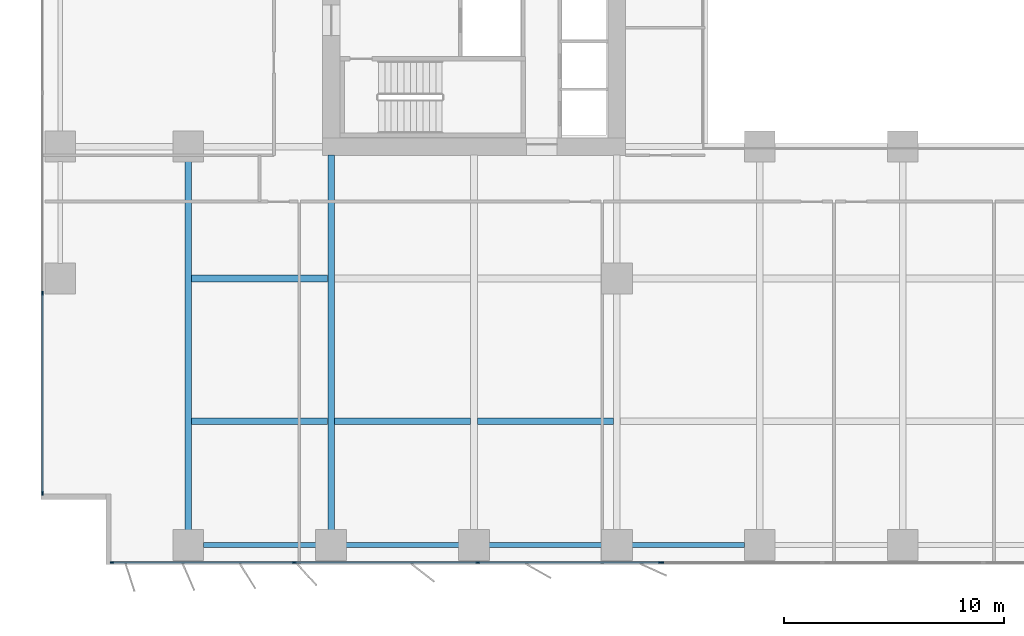
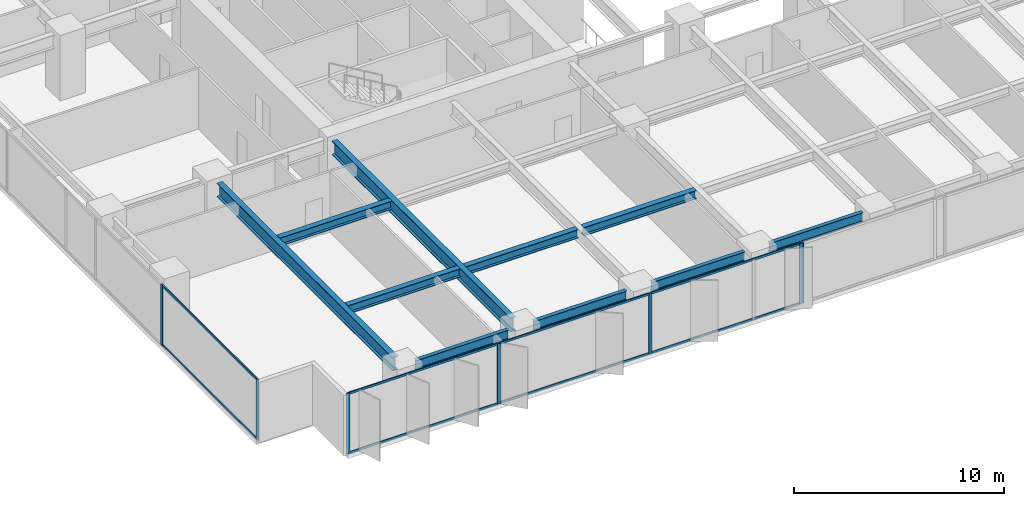
# One storey, part 2 of 20: 15 members, 10 beams, 3 elements without a shape of their own.
"""IFC4 building model written with IfcOpenShell, lengths in metres."""

import ifcopenshell
import ifcopenshell.guid

model = None  # the IFC model being written
_history = None  # IfcOwnerHistory: only IFC2X3 demands one
_inside = {}  # id of a spatial element -> (the spatial element, [elements in it])
_under = {}  # id of a project, library or spatial element -> (it, [spatial elements below it])
_declared = {}  # id of a project -> (the project, [libraries it declares])
_typed = {}  # id of a type object -> (the type object, [elements of that type])
_made_of = {}  # id of a material, layer set ... -> (it, [elements and type objects made of it])


def new_model(schema):
    """Start an empty IFC model of exactly this schema.

    Asked for "IFC4X3", IfcOpenShell would pick the latest addendum, in which some entities
    have other attributes; the version numbers below select the first issue.
    IFC2X3 requires an IfcOwnerHistory on every rooted entity: one is made here for all.
    """
    global model, _history
    if schema == "IFC4X3":
        model = ifcopenshell.file(schema_version=(4, 3, 0, 0))
    else:
        model = ifcopenshell.file(schema=schema)
    _inside.clear()
    _under.clear()
    _declared.clear()
    _typed.clear()
    _made_of.clear()
    _history = None
    if model.schema == "IFC2X3":
        org = make("IfcOrganization", Name="unknown")
        user = make(
            "IfcPersonAndOrganization",
            ThePerson=make("IfcPerson", FamilyName="unknown"),
            TheOrganization=org,
        )
        app = make(
            "IfcApplication",
            ApplicationDeveloper=org,
            Version="unknown",
            ApplicationFullName="unknown",
            ApplicationIdentifier="unknown",
        )
        _history = make(
            "IfcOwnerHistory",
            OwningUser=user,
            OwningApplication=app,
            ChangeAction="ADDED",
            CreationDate=0,
        )
    return model


def make(cls, **values):
    """One entity of the class cls with the attributes given. An attribute that is None is left unset."""
    return model.create_entity(
        cls, **{name: value for name, value in values.items() if value is not None}
    )


def rooted(cls, **values):
    """An entity with a GlobalId (a new one), such as an element, a storey or a relation."""
    return make(cls, GlobalId=ifcopenshell.guid.new(), OwnerHistory=_history, **values)


def si_unit(unit_type, name, prefix=None):
    """IfcSIUnit, for example si_unit("LENGTHUNIT", "METRE", prefix="MILLI")."""
    return make("IfcSIUnit", UnitType=unit_type, Prefix=prefix, Name=name)


def assignment(units):
    """IfcUnitAssignment: the units of a project."""
    return None if units is None else make("IfcUnitAssignment", Units=units)


def point(xyz):
    """IfcCartesianPoint."""
    return None if xyz is None else make("IfcCartesianPoint", Coordinates=xyz)


def direction(xyz):
    """IfcDirection."""
    return None if xyz is None else make("IfcDirection", DirectionRatios=xyz)


def frame(location, z_axis=None, x_axis=None):
    """IfcAxis2Placement3D, a coordinate frame: its origin and axes. An axis left out is left unset."""
    return make(
        "IfcAxis2Placement3D",
        Location=point(location),
        Axis=direction(z_axis),
        RefDirection=direction(x_axis),
    )


def frame_2d(location, x_axis=None):
    """IfcAxis2Placement2D, a coordinate frame in the plane: its origin and x axis."""
    return make(
        "IfcAxis2Placement2D", Location=point(location), RefDirection=direction(x_axis)
    )


def origin():
    """The frame at (0, 0, 0) with its axes left unset."""
    return frame((0.0, 0.0, 0.0))


def origin_2d():
    """The frame at (0, 0) in the plane with its x axis left unset."""
    return frame_2d((0.0, 0.0))


def place(relative_to, where):
    """IfcLocalPlacement: puts the frame where relative to a parent placement (None: the world)."""
    return make(
        "IfcLocalPlacement", PlacementRelTo=relative_to, RelativePlacement=where
    )


def context(
    kind, dimensions, precision=None, world=None, true_north=None, identifier=None
):
    """IfcGeometricRepresentationContext, for example the 3D "Model" context."""
    return make(
        "IfcGeometricRepresentationContext",
        ContextIdentifier=identifier,
        ContextType=kind,
        CoordinateSpaceDimension=dimensions,
        Precision=precision,
        WorldCoordinateSystem=world,
        TrueNorth=true_north,
    )


def subcontext(parent, identifier, kind, view, scale=None):
    """IfcGeometricRepresentationSubContext, for example "Body" below "Model"."""
    return make(
        "IfcGeometricRepresentationSubContext",
        ContextIdentifier=identifier,
        ContextType=kind,
        ParentContext=parent,
        TargetScale=scale,
        TargetView=view,
    )


def project(units=None, contexts=None):
    """IfcProject with its units and contexts."""
    return rooted(
        "IfcProject",
        Name="project",
        RepresentationContexts=contexts,
        UnitsInContext=assignment(units),
    )


def spatial(cls, under=None, at=None, **own):
    """A site, building, storey or space (cls), placed at a placement, below another one or the project."""
    s = rooted(cls, ObjectPlacement=at, **own)
    if under is not None:
        _under.setdefault(under.id(), (under, []))[1].append(s)
    return s


def profile(cls, at=None, kind="AREA", **sizes):
    """A parametric profile (cls). Its sizes go by their IFC names, for example OverallWidth=200.0."""
    return make(cls, ProfileType=kind, Position=at, **sizes)


def rectangle(**sizes):
    """IfcRectangleProfileDef."""
    return profile("IfcRectangleProfileDef", **sizes)


def i_section(**sizes):
    """IfcIShapeProfileDef."""
    return profile("IfcIShapeProfileDef", **sizes)


def extrude(swept, where, along, depth):
    """IfcExtrudedAreaSolid: the profile swept, set in the frame where, extruded along a direction by depth."""
    return make(
        "IfcExtrudedAreaSolid",
        SweptArea=swept,
        Position=where,
        ExtrudedDirection=direction(along),
        Depth=depth,
    )


def shape(context_of_items, identifier, shape_type, items):
    """IfcShapeRepresentation: the items that make up one representation, for example the "Body"."""
    return make(
        "IfcShapeRepresentation",
        ContextOfItems=context_of_items,
        RepresentationIdentifier=identifier,
        RepresentationType=shape_type,
        Items=items,
    )


def material(Name=None, Category=None):
    """IfcMaterial."""
    return make("IfcMaterial", Name=Name, Category=Category)


def layer(
    of_material, thickness, ventilated=None, Name=None, Category=None, Priority=None
):
    """IfcMaterialLayer: one layer of a wall or slab, of a material (None: an air gap)."""
    return make(
        "IfcMaterialLayer",
        Material=of_material,
        LayerThickness=thickness,
        IsVentilated=ventilated,
        Name=Name,
        Category=Category,
        Priority=Priority,
    )


def layer_set(layers, Name=None):
    """IfcMaterialLayerSet."""
    return make("IfcMaterialLayerSet", MaterialLayers=layers, LayerSetName=Name)


def material_profile(
    of_material, cross_section, Name=None, Category=None, Priority=None
):
    """IfcMaterialProfile: a cross section and its material."""
    return make(
        "IfcMaterialProfile",
        Name=Name,
        Material=of_material,
        Profile=cross_section,
        Priority=Priority,
        Category=Category,
    )


def profile_set(profiles, Name=None, composite=None):
    """IfcMaterialProfileSet."""
    return make(
        "IfcMaterialProfileSet",
        Name=Name,
        MaterialProfiles=profiles,
        CompositeProfile=composite,
    )


def made_of(thing, what):
    """Note that an element or type object is made of a material, layer set ...; save() writes the relation."""
    if what is not None:
        _made_of.setdefault(what.id(), (what, []))[1].append(thing)
    return thing


def type_object(cls, material=None, **own):
    """A type object (cls), such as IfcWallType, which elements share."""
    return made_of(rooted(cls, **own), material)


def element(
    cls,
    number,
    at=None,
    inside=None,
    cuts=None,
    type_object=None,
    material=None,
    context=None,
    identifier="Body",
    shape_type=None,
    held_by="IfcProductDefinitionShape",
    body=None,
    shapes=None,
    **own,
):
    """One element of the class cls, such as IfcWall. Its Tag is "e" and its number.

    at: its placement. inside: the storey or other place that contains it. cuts: it is an
    opening in that element (IfcRelVoidsElement). A single representation is given by context,
    identifier, shape_type and body (its items); several are given by shapes. held_by: the class
    of the entity that holds the representations. save() writes the other relations.
    """
    e = rooted(cls, Tag="e%d" % number, ObjectPlacement=at, **own)
    if body is not None:
        shapes = [shape(context, identifier, shape_type, body)]
    if shapes is not None:
        e.Representation = make(held_by, Representations=shapes)
    if inside is not None:
        _inside.setdefault(inside.id(), (inside, []))[1].append(e)
    if cuts is not None:
        rooted(
            "IfcRelVoidsElement", RelatingBuildingElement=cuts, RelatedOpeningElement=e
        )
    if type_object is not None:
        _typed.setdefault(type_object.id(), (type_object, []))[1].append(e)
    return made_of(e, material)


def aggregate(whole, parts):
    """IfcRelAggregates: a whole, such as a stair, and the parts it consists of."""
    return rooted("IfcRelAggregates", RelatingObject=whole, RelatedObjects=parts)


def save(model, path):
    """Write the relations noted so far, then the file.

    IfcRelAggregates (storeys below a building ...), IfcRelContainedInSpatialStructure (elements
    in a storey), IfcRelDefinesByType, IfcRelAssociatesMaterial and IfcRelDeclares: one each for
    every whole, place, type object, material and project.
    """
    for whole, parts in _under.values():
        aggregate(whole, parts)
    for where, things in _inside.values():
        rooted(
            "IfcRelContainedInSpatialStructure",
            RelatedElements=things,
            RelatingStructure=where,
        )
    for kind, things in _typed.values():
        rooted("IfcRelDefinesByType", RelatedObjects=things, RelatingType=kind)
    for what, things in _made_of.values():
        rooted("IfcRelAssociatesMaterial", RelatedObjects=things, RelatingMaterial=what)
    for by, libraries in _declared.values():
        rooted("IfcRelDeclares", RelatingContext=by, RelatedDefinitions=libraries)
    model.write(path)


model = new_model("IFC4")

# Units and contexts
model_context = context("Model", 3, precision=1e-05, world=origin(), true_north=direction((0.0, 1.0)))
body_context = subcontext(model_context, "Body", "Model", "MODEL_VIEW")
ifc_project = project(units=[si_unit("LENGTHUNIT", "METRE"), si_unit("AREAUNIT", "SQUARE_METRE"), si_unit("VOLUMEUNIT", "CUBIC_METRE"), si_unit("PLANEANGLEUNIT", "RADIAN"), si_unit("MASSUNIT", "GRAM", prefix="KILO")], contexts=[model_context])

# Site, building, storey
site_placement = place(None, origin())
site = spatial("IfcSite", under=ifc_project, at=site_placement, CompositionType="ELEMENT")
building_placement = place(site_placement, origin())
building = spatial("IfcBuilding", under=site, at=building_placement, Name="Putna Gate Headquarters", CompositionType="ELEMENT")
storey_placement = place(building_placement, frame((0.0, 0.0, 77.199951171875)))
storey = spatial("IfcBuildingStorey", under=building, at=storey_placement, Name="L18", CompositionType="ELEMENT", Elevation=77.199951171875)

# Beams
ifc_material_1 = material(Name="Steel S355J2", Category="steel")
ifc_material_profile_1 = material_profile(ifc_material_1, i_section(OverallWidth=0.300048828125, OverallDepth=0.800048828125, WebThickness=0.017578125, FlangeThickness=0.032958984375, at=origin_2d()), Name="Steel S355J2")
ifc_profile_set_1 = profile_set([ifc_material_profile_1], Name="Steel S355J2")
beam_type_1 = type_object("IfcBeamType", Name="BM-GIRD-P-HEB800", PredefinedType="USERDEFINED", material=ifc_profile_set_1)
beam_1_placement = place(storey_placement, frame((6.5, 1.568115234375, 3.1201171875), z_axis=(0.0, 1.0, 0.0), x_axis=(-1.0, 0.0, 0.0)))
element("IfcBeam", 1, at=beam_1_placement, inside=storey, type_object=beam_type_1, Name="L18 South Primary Girder X6", ObjectType="GIRDER", PredefinedType="USERDEFINED", context=body_context, shape_type="SweptSolid", body=[
    extrude(i_section(OverallWidth=0.300048828125, OverallDepth=0.800048828125, WebThickness=0.017578125, FlangeThickness=0.032958984375, at=origin_2d()), origin(), (0.0, 0.0, 1.0), 16.743896484375),
])
beam_2_placement = place(storey_placement, frame((13.0, 1.568115234375, 3.1201171875), z_axis=(0.0, 1.0, 0.0), x_axis=(-1.0, 0.0, 0.0)))
element("IfcBeam", 2, at=beam_2_placement, inside=storey, type_object=beam_type_1, Name="L18 South Primary Girder X13", ObjectType="GIRDER", PredefinedType="USERDEFINED", context=body_context, shape_type="SweptSolid", body=[
    extrude(i_section(OverallWidth=0.300048828125, OverallDepth=0.800048828125, WebThickness=0.017578125, FlangeThickness=0.032958984375, at=origin_2d()), origin(), (0.0, 0.0, 1.0), 17.046875),
])
ifc_material_profile_2 = material_profile(ifc_material_1, i_section(OverallWidth=0.300048828125, OverallDepth=0.5, WebThickness=0.014404296875, FlangeThickness=0.028076171875, at=origin_2d()), Name="Steel S355J2")
ifc_profile_set_2 = profile_set([ifc_material_profile_2], Name="Steel S355J2")
beam_type_2 = type_object("IfcBeamType", Name="BM-GIRD-Z4-HEB500", PredefinedType="USERDEFINED", material=ifc_profile_set_2)
for number, where, z_axis, x_axis, name in (
    (3, (6.654052734375, 6.5, 3.27001953125), (1.0, 0.0, 0.0), (0.0, 1.0, 0.0), "L18 South Secondary Beam 1"),
    (4, (6.654052734375, 13.0, 3.27001953125), (1.0, 0.0, 0.0), (0.0, 1.0, 0.0), "L18 South Secondary Beam 1"),
    (5, (13.154052734375, 6.5, 3.27001953125), (1.0, 0.0, 0.0), (0.0, 1.0, 0.0), "L18 South Secondary Beam 2"),
    (6, (19.654052734375, 6.5, 3.27001953125), (1.0, 0.0, 0.0), (0.0, 1.0, 0.0), "L18 South Secondary Beam 3"),
):
    element("IfcBeam", number, at=place(storey_placement, frame(where, z_axis=z_axis, x_axis=x_axis)), inside=storey, type_object=beam_type_2, Name=name, ObjectType="GIRDER", PredefinedType="USERDEFINED", context=body_context, shape_type="SweptSolid", body=[
        extrude(i_section(OverallWidth=0.300048828125, OverallDepth=0.5, WebThickness=0.014404296875, FlangeThickness=0.028076171875, at=origin_2d()), origin(), (0.0, 0.0, 1.0), 6.19189453125),
    ])
ifc_material_profile_3 = material_profile(ifc_material_1, i_section(OverallWidth=0.2099609375, OverallDepth=0.550048828125, WebThickness=0.010986328125, FlangeThickness=0.01708984375, at=origin_2d()), Name="Steel S355J2")
ifc_profile_set_3 = profile_set([ifc_material_profile_3], Name="Steel S355J2")
beam_type_3 = type_object("IfcBeamType", Name="BM-SPAN-Z1-IPE550", PredefinedType="SPANDREL", material=ifc_profile_set_3)
for number, where, z_axis, x_axis, name in (
    (7, (7.18798828125, 0.8798828125, 3.2451171875), (1.0, 0.0, 0.0), (0.0, 1.0, 0.0), "L18 S Perimeter Spandrel 1"),
    (8, (13.68798828125, 0.8798828125, 3.2451171875), (1.0, 0.0, 0.0), (0.0, 1.0, 0.0), "L18 S Perimeter Spandrel 2"),
    (9, (20.18798828125, 0.8798828125, 3.2451171875), (1.0, 0.0, 0.0), (0.0, 1.0, 0.0), "L18 S Perimeter Spandrel 3"),
    (10, (26.68798828125, 0.8798828125, 3.2451171875), (1.0, 0.0, 0.0), (0.0, 1.0, 0.0), "L18 S Perimeter Spandrel 4"),
):
    element("IfcBeam", number, at=place(storey_placement, frame(where, z_axis=z_axis, x_axis=x_axis)), inside=storey, type_object=beam_type_3, Name=name, PredefinedType="SPANDREL", context=body_context, shape_type="SweptSolid", body=[
        extrude(i_section(OverallWidth=0.2099609375, OverallDepth=0.550048828125, WebThickness=0.010986328125, FlangeThickness=0.01708984375, at=origin_2d()), origin(), (0.0, 0.0, 1.0), 5.1240234375),
    ])

# Curtain wall, members
ifc_material_2 = material(Name="Anodised bronze aluminium curtain wall", Category="aluminium")
ifc_layer_1 = layer(ifc_material_2, 0.179931640625)
ifc_layer_set_1 = layer_set([ifc_layer_1], Name="Anodised bronze aluminium curtain wall")
curtain_wall_type_1 = type_object("IfcCurtainWallType", Name="CW-SYS-Z1", PredefinedType="USERDEFINED", material=ifc_layer_set_1)
curtain_wall_1_placement = place(storey_placement, origin())
curtain_wall_1 = element("IfcCurtainWall", 11, at=curtain_wall_1_placement, inside=storey, type_object=curtain_wall_type_1, Name="L18 South West Curtain Wall", ObjectType="STICK CURTAIN WALL", PredefinedType="USERDEFINED")
ifc_material_3 = material(Name="Anodised bronze aluminium EN AW-6060", Category="aluminium")
ifc_material_profile_4 = material_profile(ifc_material_3, rectangle(XDim=0.070068359375, YDim=0.179931640625, at=origin_2d()), Name="Anodised bronze aluminium EN AW-6060")
ifc_profile_set_4 = profile_set([ifc_material_profile_4], Name="Anodised bronze aluminium EN AW-6060")
member_type_1 = type_object("IfcMemberType", Name="MULL-CWM-1", PredefinedType="MULLION", material=ifc_profile_set_4)
member_1_placement = place(storey_placement, frame((3.034912109375, 0.080078125, 0.0), z_axis=(0.0, 0.0, 1.0), x_axis=(0.0, 1.0, 0.0)))
member_1 = element("IfcMember", 12, at=member_1_placement, type_object=member_type_1, Name="CWS-1 mullion 1", PredefinedType="MULLION", context=body_context, shape_type="SweptSolid", body=[
    extrude(rectangle(XDim=0.070068359375, YDim=0.179931640625, at=origin_2d()), origin(), (0.0, 0.0, 1.0), 3.52001953125),
])
member_2_placement = place(storey_placement, frame((11.333251953125, 0.080078125, 0.0), z_axis=(0.0, 0.0, 1.0), x_axis=(0.0, 1.0, 0.0)))
member_2 = element("IfcMember", 13, at=member_2_placement, type_object=member_type_1, Name="CWS-1 mullion 2", PredefinedType="MULLION", context=body_context, shape_type="SweptSolid", body=[
    extrude(rectangle(XDim=0.070068359375, YDim=0.179931640625, at=origin_2d()), origin(), (0.0, 0.0, 1.0), 3.52001953125),
])
member_3_placement = place(storey_placement, frame((19.666748046875, 0.080078125, 0.0), z_axis=(0.0, 0.0, 1.0), x_axis=(0.0, 1.0, 0.0)))
member_3 = element("IfcMember", 14, at=member_3_placement, type_object=member_type_1, Name="CWS-1 mullion 3", PredefinedType="MULLION", context=body_context, shape_type="SweptSolid", body=[
    extrude(rectangle(XDim=0.070068359375, YDim=0.179931640625, at=origin_2d()), origin(), (0.0, 0.0, 1.0), 3.52001953125),
])
member_4_placement = place(storey_placement, frame((27.965087890625, 0.080078125, 0.0), z_axis=(0.0, 0.0, 1.0), x_axis=(0.0, 1.0, 0.0)))
member_4 = element("IfcMember", 15, at=member_4_placement, type_object=member_type_1, Name="CWS-1 mullion 4", PredefinedType="MULLION", context=body_context, shape_type="SweptSolid", body=[
    extrude(rectangle(XDim=0.070068359375, YDim=0.179931640625, at=origin_2d()), origin(), (0.0, 0.0, 1.0), 3.52001953125),
])

curtain_wall_2_placement = place(storey_placement, origin())
curtain_wall_2 = element("IfcCurtainWall", 16, at=curtain_wall_2_placement, inside=storey, type_object=curtain_wall_type_1, Name="L18 West Curtain Wall", ObjectType="STICK CURTAIN WALL", PredefinedType="USERDEFINED")
member_5_placement = place(storey_placement, frame((-0.1201171875, 3.235107421875, 0.0), z_axis=(0.0, 0.0, 1.0), x_axis=(-1.0, 0.0, 0.0)))
member_5 = element("IfcMember", 17, at=member_5_placement, type_object=member_type_1, Name="CWS-1 mullion 1", PredefinedType="MULLION", context=body_context, shape_type="SweptSolid", body=[
    extrude(rectangle(XDim=0.070068359375, YDim=0.179931640625, at=origin_2d()), origin(), (0.0, 0.0, 1.0), 3.52001953125),
])
member_6_placement = place(storey_placement, frame((-0.1201171875, 12.320068359375, 0.0), z_axis=(0.0, 0.0, 1.0), x_axis=(-1.0, 0.0, 0.0)))
member_6 = element("IfcMember", 18, at=member_6_placement, type_object=member_type_1, Name="CWS-1 mullion 2", PredefinedType="MULLION", context=body_context, shape_type="SweptSolid", body=[
    extrude(rectangle(XDim=0.070068359375, YDim=0.179931640625, at=origin_2d()), origin(), (0.0, 0.0, 1.0), 3.52001953125),
])

# Curtain wall, member
ifc_layer_2 = layer(ifc_material_2, 0.179931640625)
ifc_layer_set_2 = layer_set([ifc_layer_2], Name="Anodised bronze aluminium curtain wall")
curtain_wall_type_2 = type_object("IfcCurtainWallType", Name="CW-SYS-ATR", PredefinedType="USERDEFINED", material=ifc_layer_set_2)
curtain_wall_3_placement = place(storey_placement, origin())
curtain_wall_3 = element("IfcCurtainWall", 19, at=curtain_wall_3_placement, inside=storey, type_object=curtain_wall_type_2, Name="L18 South Atrium Clear Glazing", ObjectType="ATRIUM GLAZING", PredefinedType="USERDEFINED")
ifc_material_profile_5 = material_profile(ifc_material_3, rectangle(XDim=0.070068359375, YDim=0.179931640625, at=origin_2d()), Name="Anodised bronze aluminium EN AW-6060")
ifc_profile_set_5 = profile_set([ifc_material_profile_5], Name="Anodised bronze aluminium EN AW-6060")
member_type_2 = type_object("IfcMemberType", Name="MULL-CWM-AT", PredefinedType="MULLION", material=ifc_profile_set_5)
member_7_placement = place(storey_placement, frame((28.034912109375, 0.080078125, 0.0), z_axis=(0.0, 0.0, 1.0), x_axis=(0.0, 1.0, 0.0)))
member_7 = element("IfcMember", 20, at=member_7_placement, type_object=member_type_2, Name="CWS-AT mullion 1", PredefinedType="MULLION", context=body_context, shape_type="SweptSolid", body=[
    extrude(rectangle(XDim=0.070068359375, YDim=0.179931640625, at=origin_2d()), origin(), (0.0, 0.0, 1.0), 3.52001953125),
])
aggregate(curtain_wall_3, [member_7])

# Member
ifc_material_profile_6 = material_profile(ifc_material_3, rectangle(XDim=0.06494140625, YDim=0.1201171875, at=origin_2d()), Name="Anodised bronze aluminium EN AW-6060")
ifc_profile_set_6 = profile_set([ifc_material_profile_6], Name="Anodised bronze aluminium EN AW-6060")
member_type_3 = type_object("IfcMemberType", Name="TRAN-CWT-1", PredefinedType="USERDEFINED", material=ifc_profile_set_6)
member_8_placement = place(storey_placement, frame((3.070068359375, 0.080078125, 0.032470703125), z_axis=(1.0, 0.0, 0.0), x_axis=(0.0, 1.0, 0.0)))
member_8 = element("IfcMember", 21, at=member_8_placement, type_object=member_type_3, Name="CWS-1 transom 1.1", ObjectType="TRANSOM", PredefinedType="USERDEFINED", context=body_context, shape_type="SweptSolid", body=[
    extrude(rectangle(XDim=0.06494140625, YDim=0.1201171875, at=origin_2d()), origin(), (0.0, 0.0, 1.0), 8.228271484375),
])

member_9_placement = place(storey_placement, frame((3.070068359375, 0.080078125, 3.487548828125), z_axis=(1.0, 0.0, 0.0), x_axis=(0.0, 1.0, 0.0)))
member_9 = element("IfcMember", 22, at=member_9_placement, type_object=member_type_3, Name="CWS-1 transom 1.2", ObjectType="TRANSOM", PredefinedType="USERDEFINED", context=body_context, shape_type="SweptSolid", body=[
    extrude(rectangle(XDim=0.06494140625, YDim=0.1201171875, at=origin_2d()), origin(), (0.0, 0.0, 1.0), 8.228271484375),
])

member_10_placement = place(storey_placement, frame((11.368408203125, 0.080078125, 0.032470703125), z_axis=(1.0, 0.0, 0.0), x_axis=(0.0, 1.0, 0.0)))
member_10 = element("IfcMember", 23, at=member_10_placement, type_object=member_type_3, Name="CWS-1 transom 2.1", ObjectType="TRANSOM", PredefinedType="USERDEFINED", context=body_context, shape_type="SweptSolid", body=[
    extrude(rectangle(XDim=0.06494140625, YDim=0.1201171875, at=origin_2d()), origin(), (0.0, 0.0, 1.0), 8.26318359375),
])

member_11_placement = place(storey_placement, frame((11.368408203125, 0.080078125, 3.487548828125), z_axis=(1.0, 0.0, 0.0), x_axis=(0.0, 1.0, 0.0)))
member_11 = element("IfcMember", 24, at=member_11_placement, type_object=member_type_3, Name="CWS-1 transom 2.2", ObjectType="TRANSOM", PredefinedType="USERDEFINED", context=body_context, shape_type="SweptSolid", body=[
    extrude(rectangle(XDim=0.06494140625, YDim=0.1201171875, at=origin_2d()), origin(), (0.0, 0.0, 1.0), 8.26318359375),
])

member_12_placement = place(storey_placement, frame((19.70166015625, 0.080078125, 0.032470703125), z_axis=(1.0, 0.0, 0.0), x_axis=(0.0, 1.0, 0.0)))
member_12 = element("IfcMember", 25, at=member_12_placement, type_object=member_type_3, Name="CWS-1 transom 3.1", ObjectType="TRANSOM", PredefinedType="USERDEFINED", context=body_context, shape_type="SweptSolid", body=[
    extrude(rectangle(XDim=0.06494140625, YDim=0.1201171875, at=origin_2d()), origin(), (0.0, 0.0, 1.0), 8.228271484375),
])

member_13_placement = place(storey_placement, frame((19.70166015625, 0.080078125, 3.487548828125), z_axis=(1.0, 0.0, 0.0), x_axis=(0.0, 1.0, 0.0)))
member_13 = element("IfcMember", 26, at=member_13_placement, type_object=member_type_3, Name="CWS-1 transom 3.2", ObjectType="TRANSOM", PredefinedType="USERDEFINED", context=body_context, shape_type="SweptSolid", body=[
    extrude(rectangle(XDim=0.06494140625, YDim=0.1201171875, at=origin_2d()), origin(), (0.0, 0.0, 1.0), 8.228271484375),
])

aggregate(curtain_wall_1, [member_1, member_2, member_3, member_4, member_8, member_9, member_10, member_11, member_12, member_13])

member_14_placement = place(storey_placement, frame((-0.1201171875, 3.27001953125, 0.032470703125), z_axis=(0.0, 1.0, 0.0), x_axis=(-1.0, 0.0, 0.0)))
member_14 = element("IfcMember", 27, at=member_14_placement, type_object=member_type_3, Name="CWS-1 transom 1.1", ObjectType="TRANSOM", PredefinedType="USERDEFINED", context=body_context, shape_type="SweptSolid", body=[
    extrude(rectangle(XDim=0.06494140625, YDim=0.1201171875, at=origin_2d()), origin(), (0.0, 0.0, 1.0), 9.014892578125),
])

member_15_placement = place(storey_placement, frame((-0.1201171875, 3.27001953125, 3.487548828125), z_axis=(0.0, 1.0, 0.0), x_axis=(-1.0, 0.0, 0.0)))
member_15 = element("IfcMember", 28, at=member_15_placement, type_object=member_type_3, Name="CWS-1 transom 1.2", ObjectType="TRANSOM", PredefinedType="USERDEFINED", context=body_context, shape_type="SweptSolid", body=[
    extrude(rectangle(XDim=0.06494140625, YDim=0.1201171875, at=origin_2d()), origin(), (0.0, 0.0, 1.0), 9.014892578125),
])

aggregate(curtain_wall_2, [member_5, member_6, member_14, member_15])

save(model, "model.ifc")
